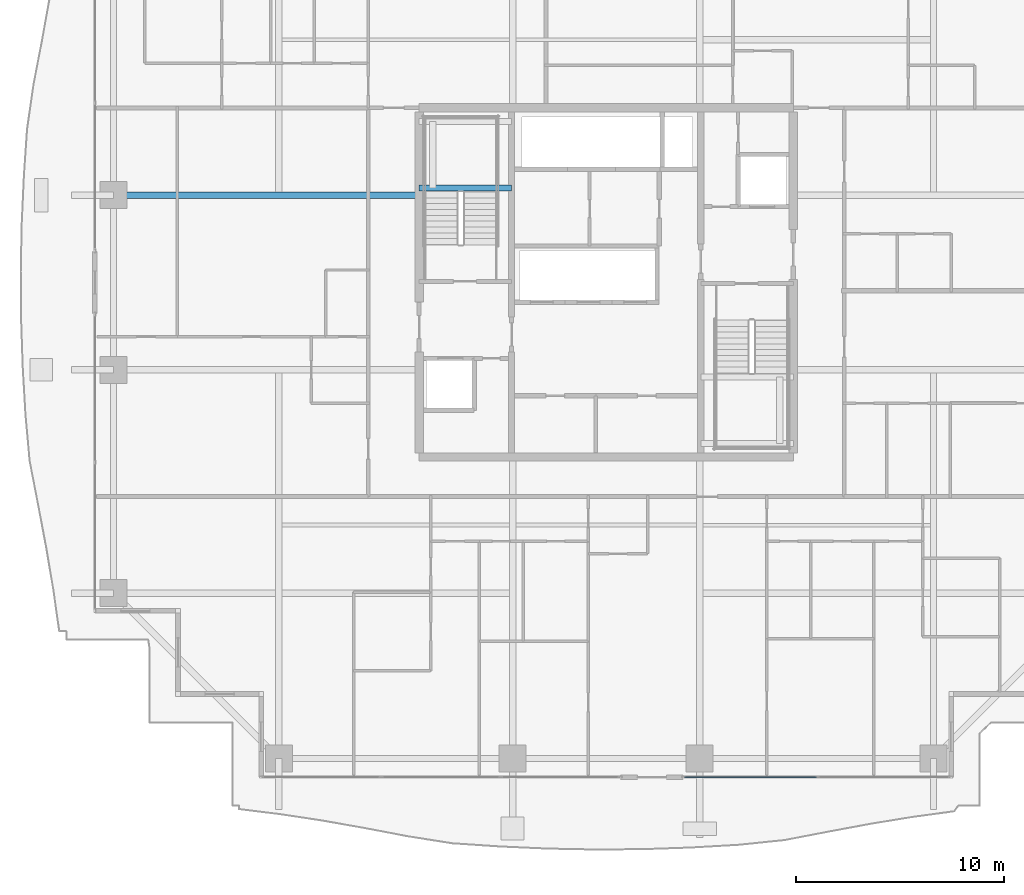
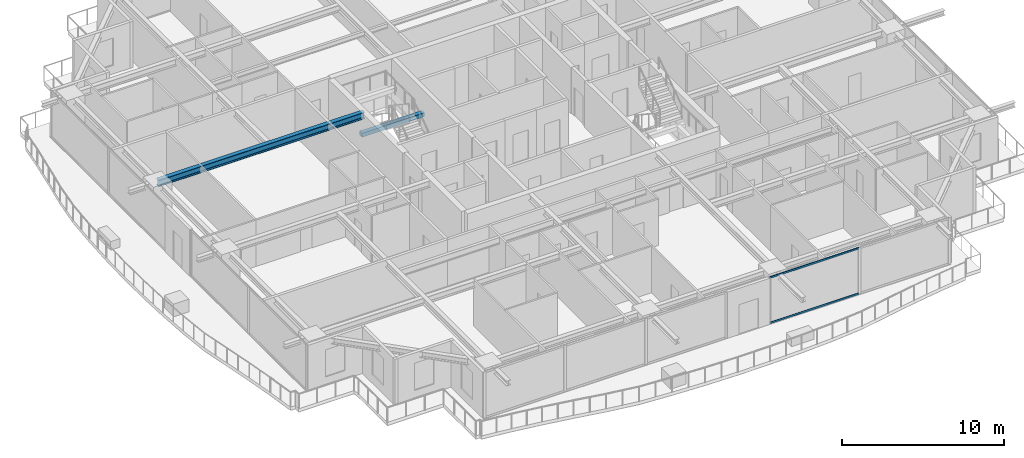
# One storey, part 10 of 34: 2 beams, 2 members, 1 element without a shape of its own.
"""IFC4 building model written with IfcOpenShell, lengths in metres."""

from ifc_helpers import new_model, si_unit, direction, frame, origin, origin_2d, place, context, subcontext, project, spatial, rectangle, hollow_rectangle, i_section, extrude, source, transform, mapped, material, layer, layer_set, material_profile, profile_set, type_object, element, aggregate, save


model = new_model("IFC4")

# Units and contexts
model_context = context("Model", 3, precision=1e-05, world=origin(), true_north=direction((0.0, 1.0)))
body_context = subcontext(model_context, "Body", "Model", "MODEL_VIEW")
ifc_project = project(units=[si_unit("LENGTHUNIT", "METRE"), si_unit("AREAUNIT", "SQUARE_METRE"), si_unit("VOLUMEUNIT", "CUBIC_METRE"), si_unit("PLANEANGLEUNIT", "RADIAN"), si_unit("MASSUNIT", "GRAM", prefix="KILO")], contexts=[model_context])

# Site, building, storey
site_placement = place(None, origin())
site = spatial("IfcSite", under=ifc_project, at=site_placement, CompositionType="ELEMENT")
building_placement = place(site_placement, origin())
building = spatial("IfcBuilding", under=site, at=building_placement, Name="Serunith Strait Residences", CompositionType="ELEMENT")
storey_placement = place(building_placement, frame((0.0, 0.0, 187.64990234375)))
storey = spatial("IfcBuildingStorey", under=building, at=storey_placement, Name="L47", CompositionType="ELEMENT", Elevation=187.64990234375)

# Beams
ifc_material_1 = material(Name="Steel S355J2", Category="steel")
ifc_material_profile_1 = material_profile(ifc_material_1, i_section(OverallWidth=0.300048828125, OverallDepth=0.5, WebThickness=0.014404296875, FlangeThickness=0.028076171875, FilletRadius=0.027099609375, at=origin_2d()), Name="HEB 500")
ifc_profile_set_1 = profile_set([ifc_material_profile_1], Name="Steel S355J2")
beam_type_1 = type_object("IfcBeamType", Name="BM-HEB500", PredefinedType="BEAM", material=ifc_profile_set_1)
shared_shape_1 = source(origin(), body_context, "Body", "SweptSolid", [
    extrude(i_section(OverallWidth=0.300048828125, OverallDepth=0.5, WebThickness=0.014404296875, FlangeThickness=0.028076171875, FilletRadius=0.027099609375, at=origin_2d()), origin(), (0.0, 0.0, 1.0), 14.699951171875),
])
beam_1_placement = place(storey_placement, frame((23.39990234375, 29.39990234375, 3.237060546875), z_axis=(-1.0, 0.0, 0.0), x_axis=(0.0, -1.0, 0.0)))
element("IfcBeam", 1, at=beam_1_placement, inside=storey, type_object=beam_type_1, Name="L47 Primary Floor Girder TC-W3", PredefinedType="BEAM", context=body_context, shape_type="MappedRepresentation", body=[
    mapped(shared_shape_1, transform((0.0, 0.0, 0.0), scale=1.0)),
])
ifc_material_2 = material(Name="Concrete C60/75", Category="concrete")
ifc_material_profile_2 = material_profile(ifc_material_2, rectangle(XDim=0.300048828125, YDim=0.300048828125, at=origin_2d()), Name="RC 300x300")
ifc_profile_set_2 = profile_set([ifc_material_profile_2], Name="Concrete C60/75")
beam_type_2 = type_object("IfcBeamType", Name="BM-LAND-300x300", PredefinedType="BEAM", material=ifc_profile_set_2)
shared_shape_2 = source(origin(), body_context, "Body", "SweptSolid", [
    extrude(rectangle(XDim=0.300048828125, YDim=0.300048828125, at=origin_2d()), origin(), (0.0, 0.0, 1.0), 4.4501953125),
])
beam_2_placement = place(storey_placement, frame((23.39990234375, 29.75, 1.525146484375), z_axis=(1.0, 0.0, 0.0), x_axis=(0.0, 1.0, 0.0)))
element("IfcBeam", 2, at=beam_2_placement, inside=storey, type_object=beam_type_2, Name="L47 ST-1 Landing Support Beam 1", PredefinedType="BEAM", context=body_context, shape_type="MappedRepresentation", body=[
    mapped(shared_shape_2, transform((0.0, 0.0, 0.0), scale=1.0)),
])

# Curtain wall, members
ifc_material_3 = material(Name="Pale-Champagne Anodised Aluminium", Category="aluminium")
ifc_layer = layer(ifc_material_3, 0.199951171875, Name="Pale-Champagne Anodised Aluminium")
ifc_layer_set = layer_set([ifc_layer], Name="Pale-Champagne Anodised Aluminium")
curtain_wall_type = type_object("IfcCurtainWallType", Name="CW-SYS2", PredefinedType="NOTDEFINED", material=ifc_layer_set)
curtain_wall_placement = place(storey_placement, origin())
curtain_wall = element("IfcCurtainWall", 3, at=curtain_wall_placement, inside=storey, type_object=curtain_wall_type, Name="L47 S Unitised Fritted Curtain Wall", PredefinedType="NOTDEFINED")
ifc_material_profile_3 = material_profile(ifc_material_3, hollow_rectangle(XDim=0.06005859375, YDim=0.139892578125, WallThickness=0.00341796875, InnerFilletRadius=0.00537109375, OuterFilletRadius=0.0087890625, at=origin_2d()), Name="ALU 140x60x3.5")
ifc_profile_set_3 = profile_set([ifc_material_profile_3], Name="Pale-Champagne Anodised Aluminium")
member_type = type_object("IfcMemberType", Name="CW-SYS2-TRAN", PredefinedType="USERDEFINED", material=ifc_profile_set_3)
shared_shape_3 = source(origin(), body_context, "Body", "SweptSolid", [
    extrude(hollow_rectangle(XDim=0.06005859375, YDim=0.139892578125, WallThickness=0.00341796875, InnerFilletRadius=0.00537109375, OuterFilletRadius=0.0087890625, at=origin_2d()), origin(), (0.0, 0.0, 1.0), 6.344970703125),
])
member_1_placement = place(storey_placement, frame((36.169921875, 1.39990234375, 0.030029296875), z_axis=(1.0, 0.0, 0.0), x_axis=(0.0, 1.0, 0.0)))
member_1 = element("IfcMember", 4, at=member_1_placement, type_object=member_type, Name="CW-2 transom 1.1", ObjectType="TRANSOM", PredefinedType="USERDEFINED", context=body_context, shape_type="MappedRepresentation", body=[
    mapped(shared_shape_3, transform((0.0, 0.0, 0.0), scale=1.0)),
])
member_2_placement = place(storey_placement, frame((36.169921875, 1.39990234375, 3.445068359375), z_axis=(1.0, 0.0, 0.0), x_axis=(0.0, 1.0, 0.0)))
member_2 = element("IfcMember", 5, at=member_2_placement, type_object=member_type, Name="CW-2 transom 1.2", ObjectType="TRANSOM", PredefinedType="USERDEFINED", context=body_context, shape_type="MappedRepresentation", body=[
    mapped(shared_shape_3, transform((0.0, 0.0, 0.0), scale=1.0)),
])
aggregate(curtain_wall, [member_1, member_2])

save(model, "model.ifc")
